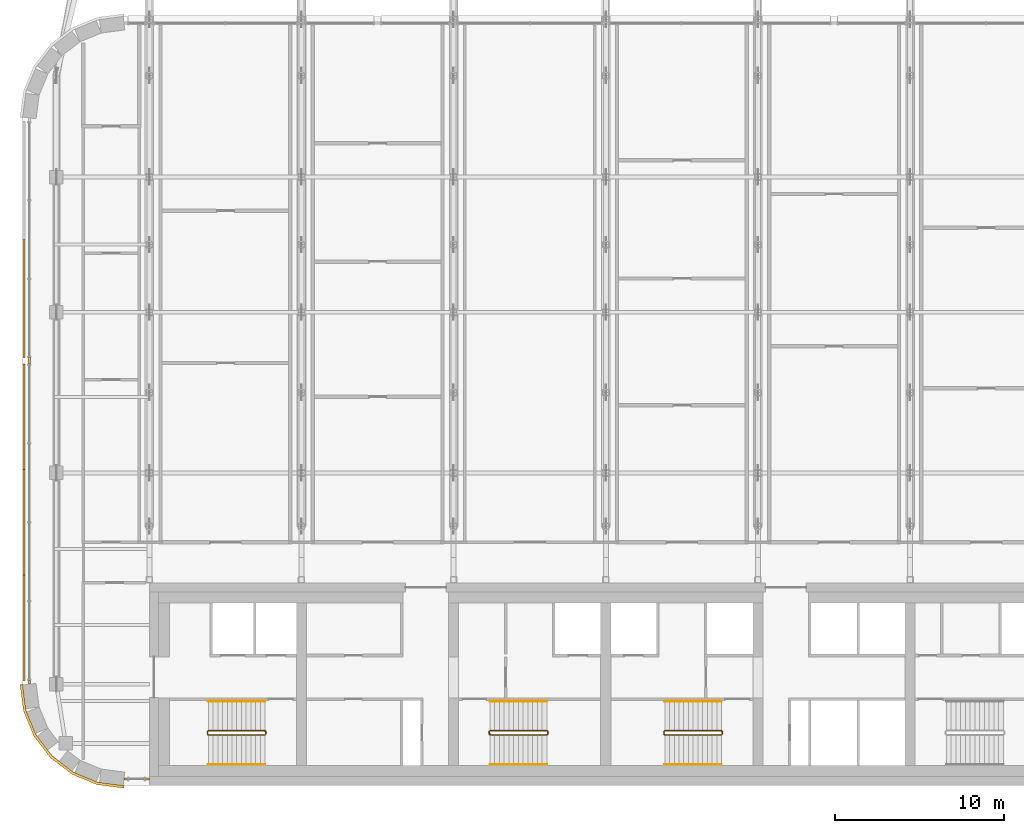
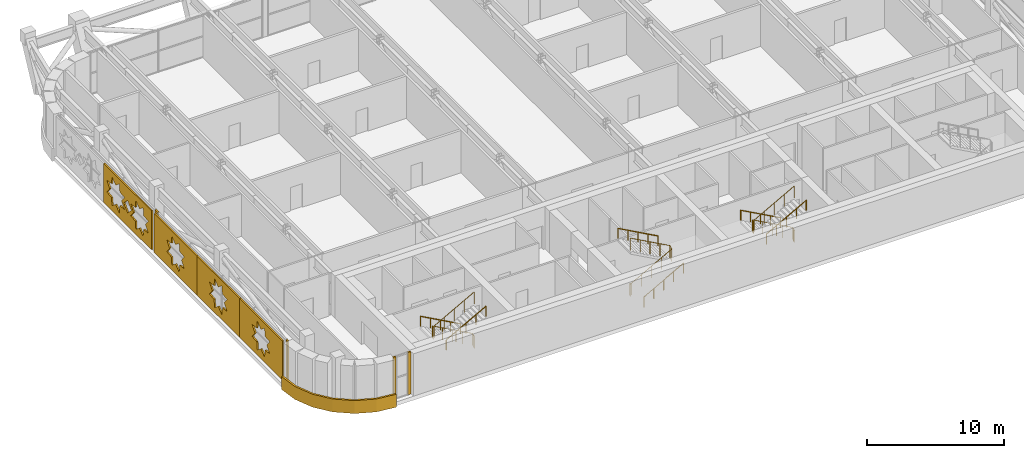
# One storey, part 24 of 28: 9 coverings, 9 railings.
"""IFC4 building model written with IfcOpenShell, lengths in metres."""

import ifcopenshell
import ifcopenshell.guid

model = None  # the IFC model being written
_history = None  # IfcOwnerHistory: only IFC2X3 demands one
_inside = {}  # id of a spatial element -> (the spatial element, [elements in it])
_under = {}  # id of a project, library or spatial element -> (it, [spatial elements below it])
_declared = {}  # id of a project -> (the project, [libraries it declares])
_typed = {}  # id of a type object -> (the type object, [elements of that type])
_made_of = {}  # id of a material, layer set ... -> (it, [elements and type objects made of it])


def new_model(schema):
    """Start an empty IFC model of exactly this schema.

    Asked for "IFC4X3", IfcOpenShell would pick the latest addendum, in which some entities
    have other attributes; the version numbers below select the first issue.
    IFC2X3 requires an IfcOwnerHistory on every rooted entity: one is made here for all.
    """
    global model, _history
    if schema == "IFC4X3":
        model = ifcopenshell.file(schema_version=(4, 3, 0, 0))
    else:
        model = ifcopenshell.file(schema=schema)
    _inside.clear()
    _under.clear()
    _declared.clear()
    _typed.clear()
    _made_of.clear()
    _history = None
    if model.schema == "IFC2X3":
        org = make("IfcOrganization", Name="unknown")
        user = make(
            "IfcPersonAndOrganization",
            ThePerson=make("IfcPerson", FamilyName="unknown"),
            TheOrganization=org,
        )
        app = make(
            "IfcApplication",
            ApplicationDeveloper=org,
            Version="unknown",
            ApplicationFullName="unknown",
            ApplicationIdentifier="unknown",
        )
        _history = make(
            "IfcOwnerHistory",
            OwningUser=user,
            OwningApplication=app,
            ChangeAction="ADDED",
            CreationDate=0,
        )
    return model


def make(cls, **values):
    """One entity of the class cls with the attributes given. An attribute that is None is left unset."""
    return model.create_entity(
        cls, **{name: value for name, value in values.items() if value is not None}
    )


def rooted(cls, **values):
    """An entity with a GlobalId (a new one), such as an element, a storey or a relation."""
    return make(cls, GlobalId=ifcopenshell.guid.new(), OwnerHistory=_history, **values)


def si_unit(unit_type, name, prefix=None):
    """IfcSIUnit, for example si_unit("LENGTHUNIT", "METRE", prefix="MILLI")."""
    return make("IfcSIUnit", UnitType=unit_type, Prefix=prefix, Name=name)


def assignment(units):
    """IfcUnitAssignment: the units of a project."""
    return None if units is None else make("IfcUnitAssignment", Units=units)


def point(xyz):
    """IfcCartesianPoint."""
    return None if xyz is None else make("IfcCartesianPoint", Coordinates=xyz)


def direction(xyz):
    """IfcDirection."""
    return None if xyz is None else make("IfcDirection", DirectionRatios=xyz)


def frame(location, z_axis=None, x_axis=None):
    """IfcAxis2Placement3D, a coordinate frame: its origin and axes. An axis left out is left unset."""
    return make(
        "IfcAxis2Placement3D",
        Location=point(location),
        Axis=direction(z_axis),
        RefDirection=direction(x_axis),
    )


def frame_2d(location, x_axis=None):
    """IfcAxis2Placement2D, a coordinate frame in the plane: its origin and x axis."""
    return make(
        "IfcAxis2Placement2D", Location=point(location), RefDirection=direction(x_axis)
    )


def origin():
    """The frame at (0, 0, 0) with its axes left unset."""
    return frame((0.0, 0.0, 0.0))


def origin_2d():
    """The frame at (0, 0) in the plane with its x axis left unset."""
    return frame_2d((0.0, 0.0))


def place(relative_to, where):
    """IfcLocalPlacement: puts the frame where relative to a parent placement (None: the world)."""
    return make(
        "IfcLocalPlacement", PlacementRelTo=relative_to, RelativePlacement=where
    )


def context(
    kind, dimensions, precision=None, world=None, true_north=None, identifier=None
):
    """IfcGeometricRepresentationContext, for example the 3D "Model" context."""
    return make(
        "IfcGeometricRepresentationContext",
        ContextIdentifier=identifier,
        ContextType=kind,
        CoordinateSpaceDimension=dimensions,
        Precision=precision,
        WorldCoordinateSystem=world,
        TrueNorth=true_north,
    )


def subcontext(parent, identifier, kind, view, scale=None):
    """IfcGeometricRepresentationSubContext, for example "Body" below "Model"."""
    return make(
        "IfcGeometricRepresentationSubContext",
        ContextIdentifier=identifier,
        ContextType=kind,
        ParentContext=parent,
        TargetScale=scale,
        TargetView=view,
    )


def project(units=None, contexts=None):
    """IfcProject with its units and contexts."""
    return rooted(
        "IfcProject",
        Name="project",
        RepresentationContexts=contexts,
        UnitsInContext=assignment(units),
    )


def spatial(cls, under=None, at=None, **own):
    """A site, building, storey or space (cls), placed at a placement, below another one or the project."""
    s = rooted(cls, ObjectPlacement=at, **own)
    if under is not None:
        _under.setdefault(under.id(), (under, []))[1].append(s)
    return s


def polyline(points):
    """IfcPolyline through the points."""
    return make("IfcPolyline", Points=[point(p) for p in points])


def profile(cls, at=None, kind="AREA", **sizes):
    """A parametric profile (cls). Its sizes go by their IFC names, for example OverallWidth=200.0."""
    return make(cls, ProfileType=kind, Position=at, **sizes)


def rectangle(**sizes):
    """IfcRectangleProfileDef."""
    return profile("IfcRectangleProfileDef", **sizes)


def circle(**sizes):
    """IfcCircleProfileDef."""
    return profile("IfcCircleProfileDef", **sizes)


def outline(outer, holes=None, kind="AREA"):
    """IfcArbitraryClosedProfileDef: a profile drawn as a closed curve; with holes, ...WithVoids."""
    if holes is None:
        return make("IfcArbitraryClosedProfileDef", ProfileType=kind, OuterCurve=outer)
    return make(
        "IfcArbitraryProfileDefWithVoids",
        ProfileType=kind,
        OuterCurve=outer,
        InnerCurves=holes,
    )


def extrude(swept, where, along, depth):
    """IfcExtrudedAreaSolid: the profile swept, set in the frame where, extruded along a direction by depth."""
    return make(
        "IfcExtrudedAreaSolid",
        SweptArea=swept,
        Position=where,
        ExtrudedDirection=direction(along),
        Depth=depth,
    )


def shape(context_of_items, identifier, shape_type, items):
    """IfcShapeRepresentation: the items that make up one representation, for example the "Body"."""
    return make(
        "IfcShapeRepresentation",
        ContextOfItems=context_of_items,
        RepresentationIdentifier=identifier,
        RepresentationType=shape_type,
        Items=items,
    )


def material(Name=None, Category=None):
    """IfcMaterial."""
    return make("IfcMaterial", Name=Name, Category=Category)


def layer(
    of_material, thickness, ventilated=None, Name=None, Category=None, Priority=None
):
    """IfcMaterialLayer: one layer of a wall or slab, of a material (None: an air gap)."""
    return make(
        "IfcMaterialLayer",
        Material=of_material,
        LayerThickness=thickness,
        IsVentilated=ventilated,
        Name=Name,
        Category=Category,
        Priority=Priority,
    )


def layer_set(layers, Name=None):
    """IfcMaterialLayerSet."""
    return make("IfcMaterialLayerSet", MaterialLayers=layers, LayerSetName=Name)


def made_of(thing, what):
    """Note that an element or type object is made of a material, layer set ...; save() writes the relation."""
    if what is not None:
        _made_of.setdefault(what.id(), (what, []))[1].append(thing)
    return thing


def type_object(cls, material=None, **own):
    """A type object (cls), such as IfcWallType, which elements share."""
    return made_of(rooted(cls, **own), material)


def element(
    cls,
    number,
    at=None,
    inside=None,
    cuts=None,
    type_object=None,
    material=None,
    context=None,
    identifier="Body",
    shape_type=None,
    held_by="IfcProductDefinitionShape",
    body=None,
    shapes=None,
    **own,
):
    """One element of the class cls, such as IfcWall. Its Tag is "e" and its number.

    at: its placement. inside: the storey or other place that contains it. cuts: it is an
    opening in that element (IfcRelVoidsElement). A single representation is given by context,
    identifier, shape_type and body (its items); several are given by shapes. held_by: the class
    of the entity that holds the representations. save() writes the other relations.
    """
    e = rooted(cls, Tag="e%d" % number, ObjectPlacement=at, **own)
    if body is not None:
        shapes = [shape(context, identifier, shape_type, body)]
    if shapes is not None:
        e.Representation = make(held_by, Representations=shapes)
    if inside is not None:
        _inside.setdefault(inside.id(), (inside, []))[1].append(e)
    if cuts is not None:
        rooted(
            "IfcRelVoidsElement", RelatingBuildingElement=cuts, RelatedOpeningElement=e
        )
    if type_object is not None:
        _typed.setdefault(type_object.id(), (type_object, []))[1].append(e)
    return made_of(e, material)


def aggregate(whole, parts):
    """IfcRelAggregates: a whole, such as a stair, and the parts it consists of."""
    return rooted("IfcRelAggregates", RelatingObject=whole, RelatedObjects=parts)


def save(model, path):
    """Write the relations noted so far, then the file.

    IfcRelAggregates (storeys below a building ...), IfcRelContainedInSpatialStructure (elements
    in a storey), IfcRelDefinesByType, IfcRelAssociatesMaterial and IfcRelDeclares: one each for
    every whole, place, type object, material and project.
    """
    for whole, parts in _under.values():
        aggregate(whole, parts)
    for where, things in _inside.values():
        rooted(
            "IfcRelContainedInSpatialStructure",
            RelatedElements=things,
            RelatingStructure=where,
        )
    for kind, things in _typed.values():
        rooted("IfcRelDefinesByType", RelatedObjects=things, RelatingType=kind)
    for what, things in _made_of.values():
        rooted("IfcRelAssociatesMaterial", RelatedObjects=things, RelatingMaterial=what)
    for by, libraries in _declared.values():
        rooted("IfcRelDeclares", RelatingContext=by, RelatedDefinitions=libraries)
    model.write(path)


model = new_model("IFC4")

# Units and contexts
model_context = context("Model", 3, precision=1e-05, world=origin(), true_north=direction((0.0, 1.0)))
body_context = subcontext(model_context, "Body", "Model", "MODEL_VIEW")
ifc_project = project(units=[si_unit("LENGTHUNIT", "METRE"), si_unit("AREAUNIT", "SQUARE_METRE"), si_unit("VOLUMEUNIT", "CUBIC_METRE"), si_unit("PLANEANGLEUNIT", "RADIAN"), si_unit("MASSUNIT", "GRAM", prefix="KILO")], contexts=[model_context])

# Site, building, storey
site_placement = place(None, origin())
site = spatial("IfcSite", under=ifc_project, at=site_placement, CompositionType="ELEMENT")
building_placement = place(site_placement, origin())
building = spatial("IfcBuilding", under=site, at=building_placement, Name="Zellij Exchange Tower", CompositionType="ELEMENT")
storey_placement = place(building_placement, frame((0.0, 0.0, 268.5)))
storey = spatial("IfcBuildingStorey", under=building, at=storey_placement, Name="L63", CompositionType="ELEMENT", Elevation=268.5)

# Railings
ifc_material_1 = material(Name="Stainless steel", Category="steel")
railing_type_1 = type_object("IfcRailingType", Name="CORE-RG stair guard", PredefinedType="GUARDRAIL", material=ifc_material_1)
railing_1_placement = place(storey_placement, frame((-20.10009765625, -10.800048828125, 0.0)))
element("IfcRailing", 1, at=railing_1_placement, inside=storey, type_object=railing_type_1, Name="ST1 stair guard L63", PredefinedType="GUARDRAIL", context=body_context, shape_type="SweptSolid", body=[
    extrude(circle(Radius=0.02392578125, at=origin_2d()), frame((0.0, 0.0, 1.076171875), z_axis=(0.0, -1.0, 0.0), x_axis=(1.0, 0.0, 0.0)), (0.0, 0.0, 1.0), 0.14990234375),
    extrude(circle(Radius=0.02392578125, at=origin_2d()), frame((0.0, -0.14990234375, 1.076171875), z_axis=(-0.193691321961, 0.777613689637, 0.598164376644), x_axis=(-0.970351222016, -0.241699205484, 0.0)), (0.0, 0.0, 1.0), 0.257080078125),
    extrude(circle(Radius=0.02392578125, at=origin_2d()), frame((-0.0498046875, 0.050048828125, 1.22998046875), z_axis=(-0.876421534553, 0.0, 0.481544695509), x_axis=(0.0, -1.0, 0.0)), (0.0, 0.0, 1.0), 3.833984375),
    extrude(circle(Radius=0.02392578125, at=origin_2d()), frame((-3.409912109375, 0.050048828125, 3.076171875), z_axis=(-0.707106781187, -0.707106781187, 0.0), x_axis=(0.707106781187, -0.707106781187, 0.0)), (0.0, 0.0, 1.0), 0.07080078125),
    extrude(circle(Radius=0.02392578125, at=origin_2d()), frame((-3.4599609375, 0.0, 3.076171875), z_axis=(0.0, -1.0, 0.0), x_axis=(1.0, 0.0, 0.0)), (0.0, 0.0, 1.0), 0.14990234375),
    extrude(circle(Radius=0.02392578125, at=origin_2d()), frame((-3.4599609375, -0.14990234375, 3.076171875), z_axis=(0.295599637079, -0.295599637079, 0.908428152975), x_axis=(0.707106781187, 0.707106781187, 0.0)), (0.0, 0.0, 1.0), 0.16943359375),
    extrude(circle(Radius=0.02392578125, at=origin_2d()), frame((-3.409912109375, -0.199951171875, 3.22998046875), z_axis=(0.876421534553, 0.0, 0.481544695509), x_axis=(0.0, 1.0, 0.0)), (0.0, 0.0, 1.0), 3.833984375),
    extrude(circle(Radius=0.02099609375, at=origin_2d()), origin(), (0.0, 0.0, 1.0), 1.052001953125),
    extrude(circle(Radius=0.02099609375, at=origin_2d()), frame((0.0, -0.14990234375, 0.0)), (0.0, 0.0, 1.0), 1.052001953125),
    extrude(circle(Radius=0.02099609375, at=origin_2d()), frame((-0.0498046875, 0.050048828125, 0.15380859375)), (0.0, 0.0, 1.0), 1.052001953125),
    extrude(circle(Radius=0.02099609375, at=origin_2d()), frame((-0.889892578125, 0.050048828125, 0.615234375)), (0.0, 0.0, 1.0), 1.052001953125),
    extrude(circle(Radius=0.02099609375, at=origin_2d()), frame((-1.72998046875, 0.050048828125, 1.076904296875)), (0.0, 0.0, 1.0), 1.052001953125),
    extrude(circle(Radius=0.02099609375, at=origin_2d()), frame((-2.56982421875, 0.050048828125, 1.53857421875)), (0.0, 0.0, 1.0), 1.052001953125),
    extrude(circle(Radius=0.02099609375, at=origin_2d()), frame((-3.409912109375, 0.050048828125, 2.0)), (0.0, 0.0, 1.0), 1.052001953125),
    extrude(circle(Radius=0.02099609375, at=origin_2d()), frame((-3.4599609375, 0.0, 2.0)), (0.0, 0.0, 1.0), 1.052001953125),
    extrude(circle(Radius=0.02099609375, at=origin_2d()), frame((-3.4599609375, -0.14990234375, 2.0)), (0.0, 0.0, 1.0), 1.052001953125),
    extrude(circle(Radius=0.02099609375, at=origin_2d()), frame((-3.409912109375, -0.199951171875, 2.15380859375)), (0.0, 0.0, 1.0), 1.052001953125),
    extrude(circle(Radius=0.02099609375, at=origin_2d()), frame((-2.56982421875, -0.199951171875, 2.615234375)), (0.0, 0.0, 1.0), 1.052001953125),
    extrude(circle(Radius=0.02099609375, at=origin_2d()), frame((-1.72998046875, -0.199951171875, 3.076904296875)), (0.0, 0.0, 1.0), 1.052001953125),
    extrude(circle(Radius=0.02099609375, at=origin_2d()), frame((-0.889892578125, -0.199951171875, 3.53857421875)), (0.0, 0.0, 1.0), 1.052001953125),
    extrude(circle(Radius=0.02099609375, at=origin_2d()), frame((-0.0498046875, -0.199951171875, 4.0)), (0.0, 0.0, 1.0), 1.052001953125),
])
railing_2_placement = place(storey_placement, frame((-6.89990234375, -10.949951171875, 0.0)))
element("IfcRailing", 2, at=railing_2_placement, inside=storey, type_object=railing_type_1, Name="ST2 stair guard L63", PredefinedType="GUARDRAIL", context=body_context, shape_type="SweptSolid", body=[
    extrude(circle(Radius=0.02392578125, at=origin_2d()), frame((0.0, 0.0, 1.076171875), z_axis=(0.0, 1.0, 0.0), x_axis=(-1.0, 0.0, 0.0)), (0.0, 0.0, 1.0), 0.14990234375),
    extrude(circle(Radius=0.02392578125, at=origin_2d()), frame((0.0, 0.14990234375, 1.076171875), z_axis=(0.193691321961, -0.777613689637, 0.598164376644), x_axis=(0.970351222016, 0.241699205484, 0.0)), (0.0, 0.0, 1.0), 0.257080078125),
    extrude(circle(Radius=0.02392578125, at=origin_2d()), frame((0.0498046875, -0.050048828125, 1.22998046875), z_axis=(0.876421534553, 0.0, 0.481544695509), x_axis=(0.0, 1.0, 0.0)), (0.0, 0.0, 1.0), 3.833984375),
    extrude(circle(Radius=0.02392578125, at=origin_2d()), frame((3.409912109375, -0.050048828125, 3.076171875), z_axis=(0.707106781187, 0.707106781187, 0.0), x_axis=(-0.707106781187, 0.707106781187, 0.0)), (0.0, 0.0, 1.0), 0.07080078125),
    extrude(circle(Radius=0.02392578125, at=origin_2d()), frame((3.4599609375, 0.0, 3.076171875), z_axis=(0.0, 1.0, 0.0), x_axis=(-1.0, 0.0, 0.0)), (0.0, 0.0, 1.0), 0.14990234375),
    extrude(circle(Radius=0.02392578125, at=origin_2d()), frame((3.4599609375, 0.14990234375, 3.076171875), z_axis=(-0.295599637079, 0.295599637079, 0.908428152975), x_axis=(-0.707106781187, -0.707106781187, 0.0)), (0.0, 0.0, 1.0), 0.16943359375),
    extrude(circle(Radius=0.02392578125, at=origin_2d()), frame((3.409912109375, 0.199951171875, 3.22998046875), z_axis=(-0.876421534553, 0.0, 0.481544695509), x_axis=(0.0, -1.0, 0.0)), (0.0, 0.0, 1.0), 3.833984375),
    extrude(circle(Radius=0.02099609375, at=origin_2d()), origin(), (0.0, 0.0, 1.0), 1.052001953125),
    extrude(circle(Radius=0.02099609375, at=origin_2d()), frame((0.0, 0.14990234375, 0.0)), (0.0, 0.0, 1.0), 1.052001953125),
    extrude(circle(Radius=0.02099609375, at=origin_2d()), frame((0.0498046875, -0.050048828125, 0.15380859375)), (0.0, 0.0, 1.0), 1.052001953125),
    extrude(circle(Radius=0.02099609375, at=origin_2d()), frame((0.889892578125, -0.050048828125, 0.615234375)), (0.0, 0.0, 1.0), 1.052001953125),
    extrude(circle(Radius=0.02099609375, at=origin_2d()), frame((1.72998046875, -0.050048828125, 1.076904296875)), (0.0, 0.0, 1.0), 1.052001953125),
    extrude(circle(Radius=0.02099609375, at=origin_2d()), frame((2.56982421875, -0.050048828125, 1.53857421875)), (0.0, 0.0, 1.0), 1.052001953125),
    extrude(circle(Radius=0.02099609375, at=origin_2d()), frame((3.409912109375, -0.050048828125, 2.0)), (0.0, 0.0, 1.0), 1.052001953125),
    extrude(circle(Radius=0.02099609375, at=origin_2d()), frame((3.4599609375, 0.0, 2.0)), (0.0, 0.0, 1.0), 1.052001953125),
    extrude(circle(Radius=0.02099609375, at=origin_2d()), frame((3.4599609375, 0.14990234375, 2.0)), (0.0, 0.0, 1.0), 1.052001953125),
    extrude(circle(Radius=0.02099609375, at=origin_2d()), frame((3.409912109375, 0.199951171875, 2.15380859375)), (0.0, 0.0, 1.0), 1.052001953125),
    extrude(circle(Radius=0.02099609375, at=origin_2d()), frame((2.56982421875, 0.199951171875, 2.615234375)), (0.0, 0.0, 1.0), 1.052001953125),
    extrude(circle(Radius=0.02099609375, at=origin_2d()), frame((1.72998046875, 0.199951171875, 3.076904296875)), (0.0, 0.0, 1.0), 1.052001953125),
    extrude(circle(Radius=0.02099609375, at=origin_2d()), frame((0.889892578125, 0.199951171875, 3.53857421875)), (0.0, 0.0, 1.0), 1.052001953125),
    extrude(circle(Radius=0.02099609375, at=origin_2d()), frame((0.0498046875, 0.199951171875, 4.0)), (0.0, 0.0, 1.0), 1.052001953125),
])
railing_3_placement = place(storey_placement, frame((6.89990234375, -10.800048828125, 0.0)))
element("IfcRailing", 3, at=railing_3_placement, inside=storey, type_object=railing_type_1, Name="ST3 stair guard L63", PredefinedType="GUARDRAIL", context=body_context, shape_type="SweptSolid", body=[
    extrude(circle(Radius=0.02392578125, at=origin_2d()), frame((0.0, 0.0, 1.076171875), z_axis=(0.0, -1.0, 0.0), x_axis=(1.0, 0.0, 0.0)), (0.0, 0.0, 1.0), 0.14990234375),
    extrude(circle(Radius=0.02392578125, at=origin_2d()), frame((0.0, -0.14990234375, 1.076171875), z_axis=(-0.193691321961, 0.777613689637, 0.598164376644), x_axis=(-0.970351222016, -0.241699205484, 0.0)), (0.0, 0.0, 1.0), 0.257080078125),
    extrude(circle(Radius=0.02392578125, at=origin_2d()), frame((-0.0498046875, 0.050048828125, 1.22998046875), z_axis=(-0.876421534553, 0.0, 0.481544695509), x_axis=(0.0, -1.0, 0.0)), (0.0, 0.0, 1.0), 3.833984375),
    extrude(circle(Radius=0.02392578125, at=origin_2d()), frame((-3.409912109375, 0.050048828125, 3.076171875), z_axis=(-0.707106781187, -0.707106781187, 0.0), x_axis=(0.707106781187, -0.707106781187, 0.0)), (0.0, 0.0, 1.0), 0.07080078125),
    extrude(circle(Radius=0.02392578125, at=origin_2d()), frame((-3.4599609375, 0.0, 3.076171875), z_axis=(0.0, -1.0, 0.0), x_axis=(1.0, 0.0, 0.0)), (0.0, 0.0, 1.0), 0.14990234375),
    extrude(circle(Radius=0.02392578125, at=origin_2d()), frame((-3.4599609375, -0.14990234375, 3.076171875), z_axis=(0.295599637079, -0.295599637079, 0.908428152975), x_axis=(0.707106781187, 0.707106781187, 0.0)), (0.0, 0.0, 1.0), 0.16943359375),
    extrude(circle(Radius=0.02392578125, at=origin_2d()), frame((-3.409912109375, -0.199951171875, 3.22998046875), z_axis=(0.876421534553, 0.0, 0.481544695509), x_axis=(0.0, 1.0, 0.0)), (0.0, 0.0, 1.0), 3.833984375),
    extrude(circle(Radius=0.02099609375, at=origin_2d()), origin(), (0.0, 0.0, 1.0), 1.052001953125),
    extrude(circle(Radius=0.02099609375, at=origin_2d()), frame((0.0, -0.14990234375, 0.0)), (0.0, 0.0, 1.0), 1.052001953125),
    extrude(circle(Radius=0.02099609375, at=origin_2d()), frame((-0.0498046875, 0.050048828125, 0.15380859375)), (0.0, 0.0, 1.0), 1.052001953125),
    extrude(circle(Radius=0.02099609375, at=origin_2d()), frame((-0.889892578125, 0.050048828125, 0.615234375)), (0.0, 0.0, 1.0), 1.052001953125),
    extrude(circle(Radius=0.02099609375, at=origin_2d()), frame((-1.72998046875, 0.050048828125, 1.076904296875)), (0.0, 0.0, 1.0), 1.052001953125),
    extrude(circle(Radius=0.02099609375, at=origin_2d()), frame((-2.56982421875, 0.050048828125, 1.53857421875)), (0.0, 0.0, 1.0), 1.052001953125),
    extrude(circle(Radius=0.02099609375, at=origin_2d()), frame((-3.409912109375, 0.050048828125, 2.0)), (0.0, 0.0, 1.0), 1.052001953125),
    extrude(circle(Radius=0.02099609375, at=origin_2d()), frame((-3.4599609375, 0.0, 2.0)), (0.0, 0.0, 1.0), 1.052001953125),
    extrude(circle(Radius=0.02099609375, at=origin_2d()), frame((-3.4599609375, -0.14990234375, 2.0)), (0.0, 0.0, 1.0), 1.052001953125),
    extrude(circle(Radius=0.02099609375, at=origin_2d()), frame((-3.409912109375, -0.199951171875, 2.15380859375)), (0.0, 0.0, 1.0), 1.052001953125),
    extrude(circle(Radius=0.02099609375, at=origin_2d()), frame((-2.56982421875, -0.199951171875, 2.615234375)), (0.0, 0.0, 1.0), 1.052001953125),
    extrude(circle(Radius=0.02099609375, at=origin_2d()), frame((-1.72998046875, -0.199951171875, 3.076904296875)), (0.0, 0.0, 1.0), 1.052001953125),
    extrude(circle(Radius=0.02099609375, at=origin_2d()), frame((-0.889892578125, -0.199951171875, 3.53857421875)), (0.0, 0.0, 1.0), 1.052001953125),
    extrude(circle(Radius=0.02099609375, at=origin_2d()), frame((-0.0498046875, -0.199951171875, 4.0)), (0.0, 0.0, 1.0), 1.052001953125),
])
railing_type_2 = type_object("IfcRailingType", Name="CORE-RH stair handrail", PredefinedType="HANDRAIL", material=ifc_material_1)
railing_4_placement = place(storey_placement, frame((-20.14990234375, -9.0, 0.15380859375)))
element("IfcRailing", 4, at=railing_4_placement, inside=storey, type_object=railing_type_2, Name="ST1 stair handrail L63", PredefinedType="HANDRAIL", context=body_context, shape_type="SweptSolid", body=[
    extrude(circle(Radius=0.02392578125, at=origin_2d()), frame((0.0, 0.0, 0.8759765625), z_axis=(-0.876421534553, 0.0, 0.481544695509), x_axis=(0.0, -1.0, 0.0)), (0.0, 0.0, 1.0), 3.833984375),
    extrude(circle(Radius=0.02099609375, at=origin_2d()), origin(), (0.0, 0.0, 1.0), 0.851806640625),
    extrude(circle(Radius=0.02099609375, at=origin_2d()), frame((-0.840087890625, 0.0, 0.46142578125)), (0.0, 0.0, 1.0), 0.851806640625),
    extrude(circle(Radius=0.02099609375, at=origin_2d()), frame((-1.68017578125, 0.0, 0.923095703125)), (0.0, 0.0, 1.0), 0.851806640625),
    extrude(circle(Radius=0.02099609375, at=origin_2d()), frame((-2.52001953125, 0.0, 1.384765625)), (0.0, 0.0, 1.0), 0.851806640625),
    extrude(circle(Radius=0.02099609375, at=origin_2d()), frame((-3.360107421875, 0.0, 1.84619140625)), (0.0, 0.0, 1.0), 0.851806640625),
])
for number, where, name in (
    (5, (-23.510009765625, -12.75, 2.15380859375), "ST1 stair handrail L63"),
    (6, (-6.85009765625, -12.75, 0.15380859375), "ST2 stair handrail L63"),
):
    element("IfcRailing", number, at=place(storey_placement, frame(where)), inside=storey, type_object=railing_type_2, Name=name, PredefinedType="HANDRAIL", context=body_context, shape_type="SweptSolid", body=[
        extrude(circle(Radius=0.02392578125, at=origin_2d()), frame((0.0, 0.0, 0.8759765625), z_axis=(0.876421534553, 0.0, 0.481544695509), x_axis=(0.0, 1.0, 0.0)), (0.0, 0.0, 1.0), 3.833984375),
        extrude(circle(Radius=0.02099609375, at=origin_2d()), origin(), (0.0, 0.0, 1.0), 0.851806640625),
        extrude(circle(Radius=0.02099609375, at=origin_2d()), frame((0.840087890625, 0.0, 0.46142578125)), (0.0, 0.0, 1.0), 0.851806640625),
        extrude(circle(Radius=0.02099609375, at=origin_2d()), frame((1.68017578125, 0.0, 0.923095703125)), (0.0, 0.0, 1.0), 0.851806640625),
        extrude(circle(Radius=0.02099609375, at=origin_2d()), frame((2.52001953125, 0.0, 1.384765625)), (0.0, 0.0, 1.0), 0.851806640625),
        extrude(circle(Radius=0.02099609375, at=origin_2d()), frame((3.360107421875, 0.0, 1.84619140625)), (0.0, 0.0, 1.0), 0.851806640625),
    ])
for number, where, name in (
    (7, (-3.489990234375, -9.0, 2.15380859375), "ST2 stair handrail L63"),
    (8, (6.85009765625, -9.0, 0.15380859375), "ST3 stair handrail L63"),
):
    element("IfcRailing", number, at=place(storey_placement, frame(where)), inside=storey, type_object=railing_type_2, Name=name, PredefinedType="HANDRAIL", context=body_context, shape_type="SweptSolid", body=[
        extrude(circle(Radius=0.02392578125, at=origin_2d()), frame((0.0, 0.0, 0.8759765625), z_axis=(-0.876421534553, 0.0, 0.481544695509), x_axis=(0.0, -1.0, 0.0)), (0.0, 0.0, 1.0), 3.833984375),
        extrude(circle(Radius=0.02099609375, at=origin_2d()), origin(), (0.0, 0.0, 1.0), 0.851806640625),
        extrude(circle(Radius=0.02099609375, at=origin_2d()), frame((-0.840087890625, 0.0, 0.46142578125)), (0.0, 0.0, 1.0), 0.851806640625),
        extrude(circle(Radius=0.02099609375, at=origin_2d()), frame((-1.68017578125, 0.0, 0.923095703125)), (0.0, 0.0, 1.0), 0.851806640625),
        extrude(circle(Radius=0.02099609375, at=origin_2d()), frame((-2.52001953125, 0.0, 1.384765625)), (0.0, 0.0, 1.0), 0.851806640625),
        extrude(circle(Radius=0.02099609375, at=origin_2d()), frame((-3.360107421875, 0.0, 1.84619140625)), (0.0, 0.0, 1.0), 0.851806640625),
    ])
railing_5_placement = place(storey_placement, frame((3.489990234375, -12.75, 2.15380859375)))
element("IfcRailing", 9, at=railing_5_placement, inside=storey, type_object=railing_type_2, Name="ST3 stair handrail L63", PredefinedType="HANDRAIL", context=body_context, shape_type="SweptSolid", body=[
    extrude(circle(Radius=0.02392578125, at=origin_2d()), frame((0.0, 0.0, 0.8759765625), z_axis=(0.876421534553, 0.0, 0.481544695509), x_axis=(0.0, 1.0, 0.0)), (0.0, 0.0, 1.0), 3.833984375),
    extrude(circle(Radius=0.02099609375, at=origin_2d()), origin(), (0.0, 0.0, 1.0), 0.851806640625),
    extrude(circle(Radius=0.02099609375, at=origin_2d()), frame((0.840087890625, 0.0, 0.46142578125)), (0.0, 0.0, 1.0), 0.851806640625),
    extrude(circle(Radius=0.02099609375, at=origin_2d()), frame((1.68017578125, 0.0, 0.923095703125)), (0.0, 0.0, 1.0), 0.851806640625),
    extrude(circle(Radius=0.02099609375, at=origin_2d()), frame((2.52001953125, 0.0, 1.384765625)), (0.0, 0.0, 1.0), 0.851806640625),
    extrude(circle(Radius=0.02099609375, at=origin_2d()), frame((3.360107421875, 0.0, 1.84619140625)), (0.0, 0.0, 1.0), 0.851806640625),
])

# Coverings
ifc_material_2 = material(Name="Limestone cladding", Category="masonry")
ifc_layer_1 = layer(ifc_material_2, 0.14990234375)
ifc_layer_set_1 = layer_set([ifc_layer_1], Name="Limestone cladding")
covering_type_1 = type_object("IfcCoveringType", Name="ENV-CV1 Stone spandrel band 150", PredefinedType="CLADDING", material=ifc_layer_set_1)
covering_1_placement = place(storey_placement, frame((0.0, 0.0, -0.35009765625)))
element("IfcCovering", 10, at=covering_1_placement, inside=storey, type_object=covering_type_1, Name="Stone spandrel band", PredefinedType="CLADDING", context=body_context, shape_type="SweptSolid", body=[
    extrude(outline(polyline([(-34.5, -8.0), (-34.295654296875, -9.552978515625), (-33.6962890625, -11.0), (-32.74267578125, -12.24267578125), (-31.5, -13.1962890625), (-30.052978515625, -13.795654296875), (-28.5, -14.0), (-28.509765625, -14.14990234375), (-30.092041015625, -13.941650390625), (-31.57568359375, -13.3271484375), (-32.849609375, -12.349609375), (-33.8271484375, -11.07568359375), (-34.441650390625, -9.592041015625), (-34.64990234375, -8.009765625), (-34.5, -8.0)])), origin(), (0.0, 0.0, 1.0), 1.150146484375),
])
ifc_layer_2 = layer(ifc_material_2, 0.1201171875)
ifc_layer_set_2 = layer_set([ifc_layer_2], Name="Limestone cladding")
covering_type_2 = type_object("IfcCoveringType", Name="ENV-CV18 Glazing closer 120", PredefinedType="CLADDING", material=ifc_layer_set_2)
covering_2_placement = place(storey_placement, frame((-34.10009765625, 11.13916015625, 0.0), z_axis=(0.0, 0.0, 1.0), x_axis=(0.0, -1.0, 0.0)))
element("IfcCovering", 11, at=covering_2_placement, inside=storey, type_object=covering_type_2, Name="Glazing closer", PredefinedType="CLADDING", context=body_context, shape_type="SweptSolid", body=[
    extrude(rectangle(XDim=0.39990234375, YDim=0.1201171875, at=origin_2d()), origin(), (0.0, 0.0, 1.0), 3.780029296875),
])
covering_3_placement = place(storey_placement, frame((-27.125, -13.60009765625, 0.0), z_axis=(0.0, 0.0, 1.0), x_axis=(1.0, 0.0, 0.0)))
element("IfcCovering", 12, at=covering_3_placement, inside=storey, type_object=covering_type_2, Name="Glazing closer", PredefinedType="CLADDING", context=body_context, shape_type="SweptSolid", body=[
    extrude(rectangle(XDim=0.25, YDim=0.1201171875, at=origin_2d()), origin(), (0.0, 0.0, 1.0), 3.780029296875),
])
for number, where, z_axis, x_axis, name in (
    (13, (-34.10009765625, -7.883056640625, 0.0), (0.0, 0.0, 1.0), (0.0, -1.0, 0.0), "Glazing closer"),
    (14, (-28.383056640625, -13.60009765625, 0.0), (0.0, 0.0, 1.0), (-1.0, 0.0, 0.0), "Glazing closer"),
):
    element("IfcCovering", number, at=place(storey_placement, frame(where, z_axis=z_axis, x_axis=x_axis)), inside=storey, type_object=covering_type_2, Name=name, PredefinedType="CLADDING", context=body_context, shape_type="SweptSolid", body=[
        extrude(rectangle(XDim=0.218505859375, YDim=0.1201171875, at=origin_2d()), origin(), (0.0, 0.0, 1.0), 3.780029296875),
    ])
ifc_material_3 = material(Name="Limestone screen", Category="masonry")
ifc_layer_3 = layer(ifc_material_3, 0.1201171875)
ifc_layer_set_3 = layer_set([ifc_layer_3], Name="Limestone screen")
covering_type_3 = type_object("IfcCoveringType", Name="ENV-SC1 Pierced stone screen 120", PredefinedType="USERDEFINED", material=ifc_layer_set_3)
covering_4_placement = place(storey_placement, frame((-34.39990234375, 18.306396484375, 0.300048828125), z_axis=(0.0, 0.0, 1.0), x_axis=(0.0, -1.0, 0.0)))
element("IfcCovering", 15, at=covering_4_placement, inside=storey, type_object=covering_type_3, Name="Pierced stone screen", ObjectType="SCREEN", PredefinedType="USERDEFINED", context=body_context, shape_type="SweptSolid", body=[
    extrude(outline(polyline([(0.0, 0.0), (6.96728515625, 0.0), (6.96728515625, 3.47998046875), (0.0, 3.47998046875), (0.0, 0.0)]), holes=[polyline([(3.02783203125, 2.272705078125), (2.35205078125, 2.350341796875), (2.2744140625, 3.02587890625), (1.74169921875, 2.60302734375), (1.208984375, 3.02587890625), (1.131591796875, 2.350341796875), (0.455810546875, 2.272705078125), (0.87890625, 1.739990234375), (0.455810546875, 1.207275390625), (1.131591796875, 1.129638671875), (1.208984375, 0.4541015625), (1.74169921875, 0.876953125), (2.2744140625, 0.4541015625), (2.35205078125, 1.129638671875), (3.02783203125, 1.207275390625), (2.60498046875, 1.739990234375), (3.02783203125, 2.272705078125)]), polyline([(6.51171875, 2.272705078125), (5.835693359375, 2.350341796875), (5.75830078125, 3.02587890625), (5.2255859375, 2.60302734375), (4.69287109375, 3.02587890625), (4.615234375, 2.350341796875), (3.939453125, 2.272705078125), (4.362548828125, 1.739990234375), (3.939453125, 1.207275390625), (4.615234375, 1.129638671875), (4.69287109375, 0.4541015625), (5.2255859375, 0.876953125), (5.75830078125, 0.4541015625), (5.835693359375, 1.129638671875), (6.51171875, 1.207275390625), (6.088623046875, 1.739990234375), (6.51171875, 2.272705078125)]), polyline([(4.04052734375, 1.739990234375), (3.483642578125, 2.296875), (2.927001953125, 1.739990234375), (3.483642578125, 1.18310546875), (4.04052734375, 1.739990234375)])]), frame((0.0, 0.06005859375, 0.0), z_axis=(0.0, -1.0, 0.0), x_axis=(1.0, 0.0, 0.0)), (0.0, 0.0, 1.0), 0.1201171875),
])
for number, where, z_axis, x_axis, name in (
    (16, (-34.39990234375, 10.939208984375, 0.300048828125), (0.0, 0.0, 1.0), (0.0, -1.0, 0.0), "Pierced stone screen"),
    (17, (-34.39990234375, 4.701416015625, 0.300048828125), (0.0, 0.0, 1.0), (0.0, -1.0, 0.0), "Pierced stone screen"),
    (18, (-34.39990234375, -1.5361328125, 0.300048828125), (0.0, 0.0, 1.0), (0.0, -1.0, 0.0), "Pierced stone screen"),
):
    element("IfcCovering", number, at=place(storey_placement, frame(where, z_axis=z_axis, x_axis=x_axis)), inside=storey, type_object=covering_type_3, Name=name, ObjectType="SCREEN", PredefinedType="USERDEFINED", context=body_context, shape_type="SweptSolid", body=[
        extrude(outline(polyline([(0.0, 0.0), (6.237548828125, 0.0), (6.237548828125, 3.47998046875), (0.0, 3.47998046875), (0.0, 0.0)]), holes=[polyline([(4.40478515625, 2.272705078125), (3.72900390625, 2.350341796875), (3.651611328125, 3.02587890625), (3.118896484375, 2.60302734375), (2.586181640625, 3.02587890625), (2.508544921875, 2.350341796875), (1.832763671875, 2.272705078125), (2.255859375, 1.739990234375), (1.832763671875, 1.207275390625), (2.508544921875, 1.129638671875), (2.586181640625, 0.4541015625), (3.118896484375, 0.876953125), (3.651611328125, 0.4541015625), (3.72900390625, 1.129638671875), (4.40478515625, 1.207275390625), (3.98193359375, 1.739990234375), (4.40478515625, 2.272705078125)])]), frame((0.0, 0.06005859375, 0.0), z_axis=(0.0, -1.0, 0.0), x_axis=(1.0, 0.0, 0.0)), (0.0, 0.0, 1.0), 0.1201171875),
    ])

save(model, "model.ifc")
